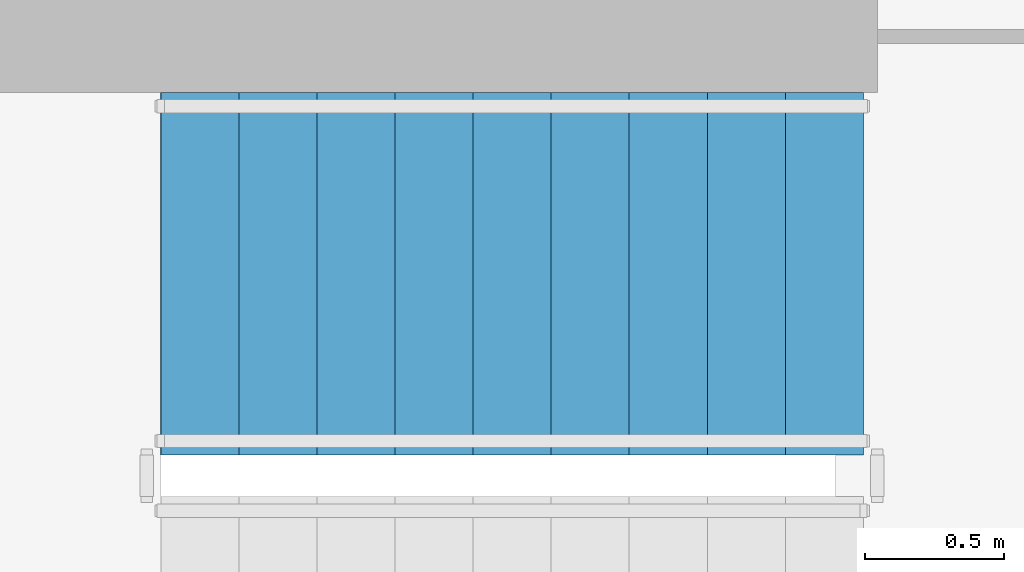
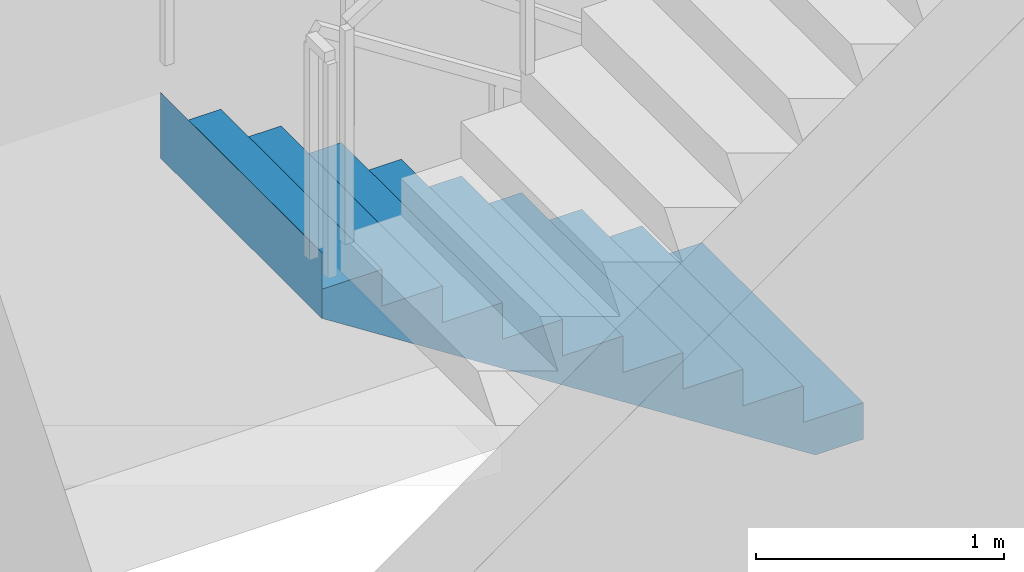
# One storey, part 32 of 38: 1 stair flight, 1 element without a shape of its own.
"""IFC4 building model written with IfcOpenShell, lengths in metres."""

from ifc_helpers import new_model, si_unit, direction, frame, origin, place, context, subcontext, project, spatial, triangles, material, type_object, element, aggregate, save


model = new_model("IFC4")

# Units and contexts
model_context = context("Model", 3, precision=1e-05, world=origin(), true_north=direction((0.0, 1.0)))
body_context = subcontext(model_context, "Body", "Model", "MODEL_VIEW")
ifc_project = project(units=[si_unit("LENGTHUNIT", "METRE"), si_unit("AREAUNIT", "SQUARE_METRE"), si_unit("VOLUMEUNIT", "CUBIC_METRE"), si_unit("PLANEANGLEUNIT", "RADIAN"), si_unit("MASSUNIT", "GRAM", prefix="KILO")], contexts=[model_context])

# Site, building, storey
site_placement = place(None, origin())
site = spatial("IfcSite", under=ifc_project, at=site_placement, CompositionType="ELEMENT")
building_placement = place(site_placement, origin())
building = spatial("IfcBuilding", under=site, at=building_placement, Name="Beryl Residences", CompositionType="ELEMENT")
storey_placement = place(building_placement, frame((0.0, 0.0, 9.0)))
storey = spatial("IfcBuildingStorey", under=building, at=storey_placement, Name="L02", CompositionType="ELEMENT", Elevation=9.0)

# Stair, stair flight
ifc_material_1 = material(Name="Concrete C40/50", Category="concrete")
stair_type = type_object("IfcStairType", Name="ST1 protected exit stair, half-turn, 1300 mm flights", PredefinedType="HALF_TURN_STAIR", material=ifc_material_1)
stair_placement = place(storey_placement, origin())
stair = element("IfcStair", 1, at=stair_placement, inside=storey, type_object=stair_type, Name="L02 PROTECTED EXIT STAIR ST-3", PredefinedType="HALF_TURN_STAIR")
ifc_material_2 = material(Name="Concrete C40/50", Category="concrete")
stair_flight_type = type_object("IfcStairFlightType", Name="SF1 stair flight 1300 mm", PredefinedType="STRAIGHT", material=ifc_material_2)
stair_flight_placement = place(storey_placement, frame((10.800048828125, -15.5, 0.0), z_axis=(0.0, 0.0, 1.0), x_axis=(-1.0, 0.0, 0.0)))
stair_flight = element("IfcStairFlight", 2, at=stair_flight_placement, type_object=stair_flight_type, Name="ST-3 flight 1", NumberOfRisers=10, NumberOfTreads=9, PredefinedType="STRAIGHT", RiserHeight=0.18, TreadLength=0.28, context=body_context, shape_type="Tessellation", body=[
    triangles([(0.0, -0.64990234375, 0.0), (0.0, -0.324951171875, 0.0), (0.0, 0.0, 0.0), (0.0, 0.324951171875, 0.0), (0.0, 0.64990234375, 0.0), (0.0, -0.64990234375, 0.179931640625), (0.0, -0.324951171875, 0.179931640625), (0.0, 0.0, 0.179931640625), (0.0, 0.324951171875, 0.179931640625), (0.0, 0.64990234375, 0.179931640625), (0.280029296875, -0.64990234375, 0.179931640625), (0.280029296875, -0.324951171875, 0.179931640625), (0.280029296875, 0.0, 0.179931640625), (0.280029296875, 0.324951171875, 0.179931640625), (0.280029296875, 0.64990234375, 0.179931640625), (0.280029296875, -0.64990234375, 0.360107421875), (0.280029296875, -0.324951171875, 0.360107421875), (0.280029296875, 0.0, 0.360107421875), (0.280029296875, 0.324951171875, 0.360107421875), (0.280029296875, 0.64990234375, 0.360107421875), (0.56005859375, -0.64990234375, 0.360107421875), (0.56005859375, -0.324951171875, 0.360107421875), (0.56005859375, 0.0, 0.360107421875), (0.56005859375, 0.324951171875, 0.360107421875), (0.56005859375, 0.64990234375, 0.360107421875), (0.56005859375, -0.64990234375, 0.5400390625), (0.56005859375, -0.324951171875, 0.5400390625), (0.56005859375, 0.0, 0.5400390625), (0.56005859375, 0.324951171875, 0.5400390625), (0.56005859375, 0.64990234375, 0.5400390625), (0.840087890625, -0.64990234375, 0.5400390625), (0.840087890625, -0.324951171875, 0.5400390625), (0.840087890625, 0.0, 0.5400390625), (0.840087890625, 0.324951171875, 0.5400390625), (0.840087890625, 0.64990234375, 0.5400390625), (0.840087890625, -0.64990234375, 0.719970703125), (0.840087890625, -0.324951171875, 0.719970703125), (0.840087890625, 0.0, 0.719970703125), (0.840087890625, 0.324951171875, 0.719970703125), (0.840087890625, 0.64990234375, 0.719970703125), (1.1201171875, -0.64990234375, 0.719970703125), (1.1201171875, -0.324951171875, 0.719970703125), (1.1201171875, 0.0, 0.719970703125), (1.1201171875, 0.324951171875, 0.719970703125), (1.1201171875, 0.64990234375, 0.719970703125), (1.1201171875, -0.64990234375, 0.89990234375), (1.1201171875, -0.324951171875, 0.89990234375), (1.1201171875, 0.0, 0.89990234375), (1.1201171875, 0.324951171875, 0.89990234375), (1.1201171875, 0.64990234375, 0.89990234375), (1.39990234375, -0.64990234375, 0.89990234375), (1.39990234375, -0.324951171875, 0.89990234375), (1.39990234375, 0.0, 0.89990234375), (1.39990234375, 0.324951171875, 0.89990234375), (1.39990234375, 0.64990234375, 0.89990234375), (1.39990234375, -0.64990234375, 1.080078125), (1.39990234375, -0.324951171875, 1.080078125), (1.39990234375, 0.0, 1.080078125), (1.39990234375, 0.324951171875, 1.080078125), (1.39990234375, 0.64990234375, 1.080078125), (1.679931640625, -0.64990234375, 1.080078125), (1.679931640625, -0.324951171875, 1.080078125), (1.679931640625, 0.0, 1.080078125), (1.679931640625, 0.324951171875, 1.080078125), (1.679931640625, 0.64990234375, 1.080078125), (1.679931640625, -0.64990234375, 1.260009765625), (1.679931640625, -0.324951171875, 1.260009765625), (1.679931640625, 0.0, 1.260009765625), (1.679931640625, 0.324951171875, 1.260009765625), (1.679931640625, 0.64990234375, 1.260009765625), (1.9599609375, -0.64990234375, 1.260009765625), (1.9599609375, -0.324951171875, 1.260009765625), (1.9599609375, 0.0, 1.260009765625), (1.9599609375, 0.324951171875, 1.260009765625), (1.9599609375, 0.64990234375, 1.260009765625), (1.9599609375, -0.64990234375, 1.43994140625), (1.9599609375, -0.324951171875, 1.43994140625), (1.9599609375, 0.0, 1.43994140625), (1.9599609375, 0.324951171875, 1.43994140625), (1.9599609375, 0.64990234375, 1.43994140625), (2.239990234375, -0.64990234375, 1.43994140625), (2.239990234375, -0.324951171875, 1.43994140625), (2.239990234375, 0.0, 1.43994140625), (2.239990234375, 0.324951171875, 1.43994140625), (2.239990234375, 0.64990234375, 1.43994140625), (2.239990234375, -0.64990234375, 1.6201171875), (2.239990234375, -0.324951171875, 1.6201171875), (2.239990234375, 0.0, 1.6201171875), (2.239990234375, 0.324951171875, 1.6201171875), (2.239990234375, 0.64990234375, 1.6201171875), (2.52001953125, -0.64990234375, 1.6201171875), (2.52001953125, -0.324951171875, 1.6201171875), (2.52001953125, 0.0, 1.6201171875), (2.52001953125, 0.324951171875, 1.6201171875), (2.52001953125, 0.64990234375, 1.6201171875), (2.52001953125, -0.64990234375, 1.800048828125), (2.52001953125, -0.324951171875, 1.800048828125), (2.52001953125, 0.0, 1.800048828125), (2.52001953125, 0.324951171875, 1.800048828125), (2.52001953125, 0.64990234375, 1.800048828125), (2.52099609375, -0.64990234375, 1.800048828125), (2.52099609375, -0.324951171875, 1.800048828125), (2.52099609375, 0.0, 1.800048828125), (2.52099609375, 0.324951171875, 1.800048828125), (2.52099609375, 0.64990234375, 1.800048828125), (2.52099609375, -0.64990234375, 1.477294921875), (2.52099609375, -0.324951171875, 1.477294921875), (2.52099609375, 0.0, 1.477294921875), (2.52099609375, 0.324951171875, 1.477294921875), (2.52099609375, 0.64990234375, 1.477294921875), (0.22314453125, -0.64990234375, 0.0), (0.22314453125, -0.324951171875, 0.0), (0.22314453125, 0.0, 0.0), (0.22314453125, 0.324951171875, 0.0), (0.22314453125, 0.64990234375, 0.0)], [[1, 6, 7], [1, 7, 2], [2, 7, 8], [2, 8, 3], [3, 8, 9], [3, 9, 4], [4, 9, 10], [4, 10, 5], [6, 11, 12], [6, 12, 7], [7, 12, 13], [7, 13, 8], [8, 13, 14], [8, 14, 9], [9, 14, 15], [9, 15, 10], [11, 16, 17], [11, 17, 12], [12, 17, 18], [12, 18, 13], [13, 18, 19], [13, 19, 14], [14, 19, 20], [14, 20, 15], [16, 21, 22], [16, 22, 17], [17, 22, 23], [17, 23, 18], [18, 23, 24], [18, 24, 19], [19, 24, 25], [19, 25, 20], [21, 26, 27], [21, 27, 22], [22, 27, 28], [22, 28, 23], [23, 28, 29], [23, 29, 24], [24, 29, 30], [24, 30, 25], [26, 31, 32], [26, 32, 27], [27, 32, 33], [27, 33, 28], [28, 33, 34], [28, 34, 29], [29, 34, 35], [29, 35, 30], [31, 36, 37], [31, 37, 32], [32, 37, 38], [32, 38, 33], [33, 38, 39], [33, 39, 34], [34, 39, 40], [34, 40, 35], [36, 41, 42], [36, 42, 37], [37, 42, 43], [37, 43, 38], [38, 43, 44], [38, 44, 39], [39, 44, 45], [39, 45, 40], [41, 46, 47], [41, 47, 42], [42, 47, 48], [42, 48, 43], [43, 48, 49], [43, 49, 44], [44, 49, 50], [44, 50, 45], [46, 51, 52], [46, 52, 47], [47, 52, 53], [47, 53, 48], [48, 53, 54], [48, 54, 49], [49, 54, 55], [49, 55, 50], [51, 56, 57], [51, 57, 52], [52, 57, 58], [52, 58, 53], [53, 58, 59], [53, 59, 54], [54, 59, 60], [54, 60, 55], [56, 61, 62], [56, 62, 57], [57, 62, 63], [57, 63, 58], [58, 63, 64], [58, 64, 59], [59, 64, 65], [59, 65, 60], [61, 66, 67], [61, 67, 62], [62, 67, 68], [62, 68, 63], [63, 68, 69], [63, 69, 64], [64, 69, 70], [64, 70, 65], [66, 71, 72], [66, 72, 67], [67, 72, 73], [67, 73, 68], [68, 73, 74], [68, 74, 69], [69, 74, 75], [69, 75, 70], [71, 76, 77], [71, 77, 72], [72, 77, 78], [72, 78, 73], [73, 78, 79], [73, 79, 74], [74, 79, 80], [74, 80, 75], [76, 81, 82], [76, 82, 77], [77, 82, 83], [77, 83, 78], [78, 83, 84], [78, 84, 79], [79, 84, 85], [79, 85, 80], [81, 86, 87], [81, 87, 82], [82, 87, 88], [82, 88, 83], [83, 88, 89], [83, 89, 84], [84, 89, 90], [84, 90, 85], [86, 91, 92], [86, 92, 87], [87, 92, 93], [87, 93, 88], [88, 93, 94], [88, 94, 89], [89, 94, 95], [89, 95, 90], [91, 96, 97], [91, 97, 92], [92, 97, 98], [92, 98, 93], [93, 98, 99], [93, 99, 94], [94, 99, 100], [94, 100, 95], [96, 101, 102], [96, 102, 97], [97, 102, 103], [97, 103, 98], [98, 103, 104], [98, 104, 99], [99, 104, 105], [99, 105, 100], [101, 106, 107], [101, 107, 102], [102, 107, 108], [102, 108, 103], [103, 108, 109], [103, 109, 104], [104, 109, 110], [104, 110, 105], [106, 111, 112], [106, 112, 107], [107, 112, 113], [107, 113, 108], [108, 113, 114], [108, 114, 109], [109, 114, 115], [109, 115, 110], [111, 1, 2], [111, 2, 112], [112, 2, 3], [112, 3, 113], [113, 3, 4], [113, 4, 114], [114, 4, 5], [114, 5, 115], [1, 111, 106], [5, 110, 115], [106, 101, 96], [110, 100, 105], [106, 96, 91], [110, 95, 100], [106, 91, 86], [110, 90, 95], [106, 86, 81], [110, 85, 90], [81, 76, 71], [85, 75, 80], [106, 81, 71], [110, 75, 85], [71, 66, 61], [75, 65, 70], [106, 71, 61], [110, 65, 75], [61, 56, 51], [65, 55, 60], [106, 61, 51], [110, 55, 65], [51, 46, 41], [55, 45, 50], [106, 51, 41], [110, 45, 55], [41, 36, 31], [45, 35, 40], [106, 41, 31], [110, 35, 45], [31, 26, 21], [35, 25, 30], [106, 31, 21], [110, 25, 35], [21, 16, 11], [25, 15, 20], [106, 21, 11], [110, 15, 25], [1, 106, 11], [5, 15, 110], [11, 6, 1], [15, 5, 10]], closed=True),
])
aggregate(stair, [stair_flight])

save(model, "model.ifc")
